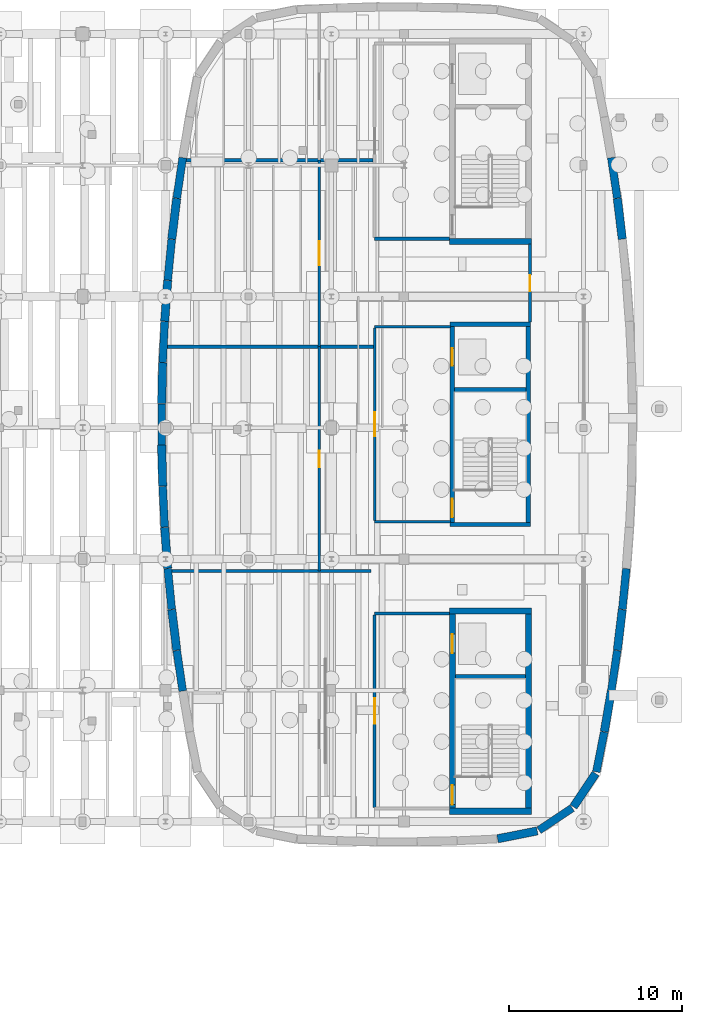
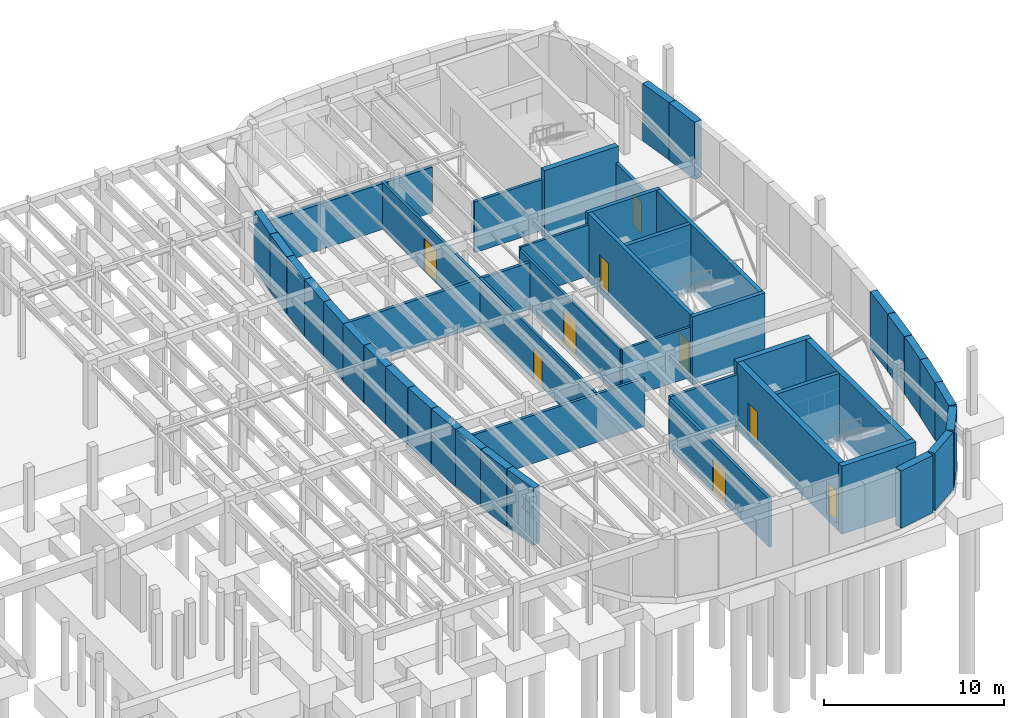
# One storey, part 37 of 45: 46 walls, 9 doors, 9 openings.
"""IFC4 building model written with IfcOpenShell, lengths in metres."""

from ifc_helpers import new_model, si_unit, direction, frame, frame_2d, origin, place, context, subcontext, project, spatial, rectangle, extrude, material, layer, layer_set, type_object, element, fill, save


model = new_model("IFC4")

# Units and contexts
model_context = context("Model", 3, precision=1e-05, world=origin(), true_north=direction((0.0, 1.0)))
body_context = subcontext(model_context, "Body", "Model", "MODEL_VIEW")
ifc_project = project(units=[si_unit("LENGTHUNIT", "METRE"), si_unit("AREAUNIT", "SQUARE_METRE"), si_unit("VOLUMEUNIT", "CUBIC_METRE"), si_unit("PLANEANGLEUNIT", "RADIAN"), si_unit("MASSUNIT", "GRAM", prefix="KILO")], contexts=[model_context])

# Site, building, storey
site_placement = place(None, origin())
site = spatial("IfcSite", under=ifc_project, at=site_placement, CompositionType="ELEMENT")
building_placement = place(site_placement, origin())
building = spatial("IfcBuilding", under=site, at=building_placement, Name="Corveleigh Park Community Centre", CompositionType="ELEMENT")
storey_placement = place(building_placement, frame((0.0, 0.0, -4.199951171875)))
storey = spatial("IfcBuildingStorey", under=building, at=storey_placement, Name="B1", CompositionType="ELEMENT", Elevation=-4.199951171875)

# Walls
ifc_material_1 = material(Name="Gypsum acoustic stud partition", Category="gypsum")
ifc_layer_1 = layer(ifc_material_1, 0.14990234375, Name="Gypsum acoustic stud partition", Category="gypsum")
ifc_layer_set_1 = layer_set([ifc_layer_1], Name="Gypsum acoustic stud partition")
wall_type_1 = type_object("IfcWallType", Name="WL-PRT-150", PredefinedType="PARTITIONING", material=ifc_layer_set_1)
wall_1_placement = place(storey_placement, frame((156.300048828125, 75.949951171875, 0.0), z_axis=(0.0, 0.0, 1.0), x_axis=(1.0, 0.0, 0.0)))
element("IfcWall", 1, at=wall_1_placement, inside=storey, type_object=wall_type_1, Name="CORE6 lobby south wall", PredefinedType="PARTITIONING", context=body_context, shape_type="SweptSolid", body=[
    extrude(rectangle(XDim=4.389892578125, YDim=0.14990234375, at=frame_2d((2.19482421875, 0.0))), origin(), (0.0, 0.0, 1.0), 3.39501953125),
])
wall_2_placement = place(storey_placement, frame((160.68994140625, 87.25, 0.0), z_axis=(0.0, 0.0, 1.0), x_axis=(-1.0, 0.0, 0.0)))
element("IfcWall", 2, at=wall_2_placement, inside=storey, type_object=wall_type_1, Name="CORE6 lobby north wall", PredefinedType="PARTITIONING", context=body_context, shape_type="SweptSolid", body=[
    extrude(rectangle(XDim=4.389892578125, YDim=0.14990234375, at=frame_2d((2.19482421875, 0.0))), origin(), (0.0, 0.0, 1.0), 3.4609375),
])

# Wall, opening, door
wall_3_placement = place(storey_placement, frame((156.300048828125, 87.169921875, 0.0), z_axis=(0.0, 0.0, 1.0), x_axis=(0.0, -1.0, 0.0)))
wall_3 = element("IfcWall", 3, at=wall_3_placement, inside=storey, type_object=wall_type_1, Name="CORE6 lobby corridor wall", PredefinedType="PARTITIONING", context=body_context, shape_type="SweptSolid", body=[
    extrude(rectangle(XDim=11.139892578125, YDim=0.14990234375, at=frame_2d((5.56982421875, 0.0))), origin(), (0.0, 0.0, 1.0), 3.3369140625),
])
opening_1_placement = place(wall_3_placement, frame((4.8798828125, 0.0, 0.0)))
opening_1 = element("IfcOpeningElement", 4, at=opening_1_placement, cuts=wall_3, Name="Opening FD02", PredefinedType="OPENING", context=body_context, shape_type="SweptSolid", body=[
    extrude(rectangle(XDim=1.3798828125, YDim=2.199951171875, at=frame_2d((0.68994140625, 1.10009765625))), frame((0.0, 0.0849609375, 0.0), z_axis=(0.0, -1.0, 0.0), x_axis=(1.0, 0.0, 0.0)), (0.0, 0.0, 1.0), 0.169921875),
])
ifc_material_2 = material(Name="Hardwood acoustic door leaf", Category="wood")
door_type_1 = type_object("IfcDoorType", Name="DR-FIR-1380x2200", OperationType="DOUBLE_DOOR_SINGLE_SWING", PredefinedType="DOOR", material=ifc_material_2)
door_1_placement = place(opening_1_placement, origin())
door_1 = element("IfcDoor", 5, at=door_1_placement, inside=storey, type_object=door_type_1, Name="Lobby CORE6 corridor door B1", OperationType="DOUBLE_DOOR_SINGLE_SWING", OverallHeight=2.199951171875, OverallWidth=1.3798828125, PredefinedType="DOOR", context=body_context, shape_type="SweptSolid", body=[
    extrude(rectangle(XDim=1.3798828125, YDim=2.199951171875, at=frame_2d((0.68994140625, 1.10009765625))), frame((0.0, 0.02490234375, 0.0), z_axis=(0.0, -1.0, 0.0), x_axis=(1.0, 0.0, 0.0)), (0.0, 0.0, 1.0), 0.050048828125),
])
fill(opening_1, door_1)

wall_4_placement = place(storey_placement, frame((153.10009765625, 86.10009765625, 0.0), z_axis=(0.0, 0.0, 1.0), x_axis=(0.0, -1.0, 0.0)))
wall_4 = element("IfcWall", 6, at=wall_4_placement, inside=storey, type_object=wall_type_1, Name="Sprinkler Pump and Tank Room corridor wall", PredefinedType="PARTITIONING", context=body_context, shape_type="SweptSolid", body=[
    extrude(rectangle(XDim=13.0, YDim=0.14990234375, at=frame_2d((6.5, 0.0))), origin(), (0.0, 0.0, 1.0), 3.219970703125),
])
opening_2_placement = place(wall_4_placement, frame((6.030029296875, 0.0, 0.0)))
opening_2 = element("IfcOpeningElement", 7, at=opening_2_placement, cuts=wall_4, Name="Opening FD09", PredefinedType="OPENING", context=body_context, shape_type="SweptSolid", body=[
    extrude(rectangle(XDim=0.93994140625, YDim=2.10009765625, at=frame_2d((0.469970703125, 1.050048828125))), frame((0.0, 0.0849609375, 0.0), z_axis=(0.0, -1.0, 0.0), x_axis=(1.0, 0.0, 0.0)), (0.0, 0.0, 1.0), 0.169921875),
])
door_type_2 = type_object("IfcDoorType", Name="DR-FIR-0940x2100", OperationType="NOTDEFINED", PredefinedType="DOOR", material=ifc_material_2)
door_2_placement = place(opening_2_placement, origin())
door_2 = element("IfcDoor", 8, at=door_2_placement, inside=storey, type_object=door_type_2, Name="Sprinkler Pump and Tank Room door", OperationType="SINGLE_SWING_RIGHT", OverallHeight=2.10009765625, OverallWidth=0.93994140625, PredefinedType="DOOR", context=body_context, shape_type="SweptSolid", body=[
    extrude(rectangle(XDim=0.93994140625, YDim=2.10009765625, at=frame_2d((0.469970703125, 1.050048828125))), frame((0.0, 0.02490234375, 0.0), z_axis=(0.0, -1.0, 0.0), x_axis=(1.0, 0.0, 0.0)), (0.0, 0.0, 1.0), 0.050048828125),
])
fill(opening_2, door_2)

ifc_layer_2 = layer(ifc_material_1, 0.1650390625, Name="Gypsum acoustic stud partition", Category="gypsum")
ifc_layer_set_2 = layer_set([ifc_layer_2], Name="Gypsum acoustic stud partition")
wall_type_2 = type_object("IfcWallType", Name="WL-PRT-165", PredefinedType="PARTITIONING", material=ifc_layer_set_2)
wall_5_placement = place(storey_placement, frame((153.10009765625, 96.89990234375, 0.0), z_axis=(0.0, 0.0, 1.0), x_axis=(0.0, -1.0, 0.0)))
wall_5 = element("IfcWall", 9, at=wall_5_placement, inside=storey, type_object=wall_type_2, Name="LV Switchroom and Standby Plant corridor wall", PredefinedType="PARTITIONING", context=body_context, shape_type="SweptSolid", body=[
    extrude(rectangle(XDim=10.7998046875, YDim=0.1650390625, at=frame_2d((5.39990234375, 0.0))), origin(), (0.0, 0.0, 1.0), 3.195068359375),
])
opening_3_placement = place(wall_5_placement, frame((4.7099609375, 0.0, 0.0)))
opening_3 = element("IfcOpeningElement", 10, at=opening_3_placement, cuts=wall_5, Name="Opening FD02", PredefinedType="OPENING", context=body_context, shape_type="SweptSolid", body=[
    extrude(rectangle(XDim=1.3798828125, YDim=2.199951171875, at=frame_2d((0.68994140625, 1.10009765625))), frame((0.0, 0.092529296875, 0.0), z_axis=(0.0, -1.0, 0.0), x_axis=(1.0, 0.0, 0.0)), (0.0, 0.0, 1.0), 0.18505859375),
])
door_3_placement = place(opening_3_placement, origin())
door_3 = element("IfcDoor", 11, at=door_3_placement, inside=storey, type_object=door_type_1, Name="LV Switchroom and Standby Plant door", OperationType="DOUBLE_DOOR_SINGLE_SWING", OverallHeight=2.199951171875, OverallWidth=1.3798828125, PredefinedType="DOOR", context=body_context, shape_type="SweptSolid", body=[
    extrude(rectangle(XDim=1.3798828125, YDim=2.199951171875, at=frame_2d((0.68994140625, 1.10009765625))), frame((0.0, 0.02490234375, 0.0), z_axis=(0.0, -1.0, 0.0), x_axis=(1.0, 0.0, 0.0)), (0.0, 0.0, 1.0), 0.050048828125),
])
fill(opening_3, door_3)

# Wall
ifc_layer_3 = layer(ifc_material_1, 0.179931640625, Name="Gypsum acoustic stud partition", Category="gypsum")
ifc_layer_set_3 = layer_set([ifc_layer_3], Name="Gypsum acoustic stud partition")
wall_type_3 = type_object("IfcWallType", Name="WL-PRT-180", PredefinedType="PARTITIONING", material=ifc_layer_set_3)
wall_6_placement = place(storey_placement, frame((160.639892578125, 70.64990234375, 0.0), z_axis=(0.0, 0.0, 1.0), x_axis=(-1.0, 0.0, 0.0)))
element("IfcWall", 12, at=wall_6_placement, inside=storey, type_object=wall_type_3, Name="CORE1 lobby north wall", PredefinedType="PARTITIONING", context=body_context, shape_type="SweptSolid", body=[
    extrude(rectangle(XDim=4.33984375, YDim=0.179931640625, at=frame_2d((2.169921875, 0.0))), origin(), (0.0, 0.0, 1.0), 3.419921875),
])

# Wall, opening, door
wall_7_placement = place(storey_placement, frame((156.300048828125, 70.570068359375, 0.0), z_axis=(0.0, 0.0, 1.0), x_axis=(0.0, -1.0, 0.0)))
wall_7 = element("IfcWall", 13, at=wall_7_placement, inside=storey, type_object=wall_type_3, Name="CORE1 lobby corridor wall", PredefinedType="PARTITIONING", context=body_context, shape_type="SweptSolid", body=[
    extrude(rectangle(XDim=11.14013671875, YDim=0.179931640625, at=frame_2d((5.570068359375, 0.0))), origin(), (0.0, 0.0, 1.0), 3.261962890625),
])
opening_4_placement = place(wall_7_placement, frame((4.830078125, 0.0, 0.0)))
opening_4 = element("IfcOpeningElement", 14, at=opening_4_placement, cuts=wall_7, Name="Opening FD01", PredefinedType="OPENING", context=body_context, shape_type="SweptSolid", body=[
    extrude(rectangle(XDim=1.47998046875, YDim=2.219970703125, at=frame_2d((0.739990234375, 1.10986328125))), frame((0.0, 0.099853515625, 0.0), z_axis=(0.0, -1.0, 0.0), x_axis=(1.0, 0.0, 0.0)), (0.0, 0.0, 1.0), 0.199951171875),
])
door_type_3 = type_object("IfcDoorType", Name="DR-FIR-1480x2220", OperationType="DOUBLE_DOOR_SINGLE_SWING", PredefinedType="DOOR", material=ifc_material_2)
door_4_placement = place(opening_4_placement, origin())
door_4 = element("IfcDoor", 15, at=door_4_placement, inside=storey, type_object=door_type_3, Name="Lobby CORE1 corridor door B1", OperationType="DOUBLE_DOOR_SINGLE_SWING", OverallHeight=2.219970703125, OverallWidth=1.47998046875, PredefinedType="DOOR", context=body_context, shape_type="SweptSolid", body=[
    extrude(rectangle(XDim=1.47998046875, YDim=2.219970703125, at=frame_2d((0.739990234375, 1.10986328125))), frame((0.0, 0.02490234375, 0.0), z_axis=(0.0, -1.0, 0.0), x_axis=(1.0, 0.0, 0.0)), (0.0, 0.0, 1.0), 0.050048828125),
])
fill(opening_4, door_4)

# Walls
wall_8_placement = place(storey_placement, frame((156.300048828125, 92.35009765625, 0.0), z_axis=(0.0, 0.0, 1.0), x_axis=(1.0, 0.0, 0.0)))
element("IfcWall", 16, at=wall_8_placement, inside=storey, type_object=wall_type_3, Name="CORE2 lobby south wall", PredefinedType="PARTITIONING", context=body_context, shape_type="SweptSolid", body=[
    extrude(rectangle(XDim=4.33984375, YDim=0.179931640625, at=frame_2d((2.169921875, 0.0))), origin(), (0.0, 0.0, 1.0), 3.45703125),
])
wall_9_placement = place(storey_placement, frame((144.552978515625, 73.10009765625, 0.0), z_axis=(0.0, 0.0, 1.0), x_axis=(1.0, 0.0, 0.0)))
element("IfcWall", 17, at=wall_9_placement, inside=storey, type_object=wall_type_3, Name="Heat Pump and Thermal Plant Room partition", PredefinedType="PARTITIONING", context=body_context, shape_type="SweptSolid", body=[
    extrude(rectangle(XDim=11.547119140625, YDim=0.179931640625, at=frame_2d((5.7734375, 0.0))), origin(), (0.0, 0.0, 1.0), 3.261962890625),
])

# Wall, opening, door
ifc_material_3 = material(Name="Masonry blockwork 7.3 MPa", Category="masonry")
ifc_layer_4 = layer(ifc_material_3, 0.195068359375, Name="Masonry blockwork 7.3 MPa", Category="masonry")
ifc_layer_set_4 = layer_set([ifc_layer_4], Name="Masonry blockwork 7.3 MPa")
wall_type_4 = type_object("IfcWallType", Name="WL-PRT-195", PredefinedType="PARTITIONING", material=ifc_layer_set_4)
wall_10_placement = place(storey_placement, frame((165.300048828125, 87.512939453125, 0.0), z_axis=(0.0, 0.0, 1.0), x_axis=(0.0, 1.0, 0.0)))
wall_10 = element("IfcWall", 18, at=wall_10_placement, inside=storey, type_object=wall_type_4, Name="Substructure Acoustic Attenuation Plant corridor wall", PredefinedType="PARTITIONING", context=body_context, shape_type="SweptSolid", body=[
    extrude(rectangle(XDim=4.524169921875, YDim=0.195068359375, at=frame_2d((2.26220703125, 0.0))), origin(), (0.0, 0.0, 1.0), 3.119873046875),
])
opening_5_placement = place(wall_10_placement, frame((1.7919921875, 0.0, 0.0)))
opening_5 = element("IfcOpeningElement", 19, at=opening_5_placement, cuts=wall_10, Name="Opening FD09", PredefinedType="OPENING", context=body_context, shape_type="SweptSolid", body=[
    extrude(rectangle(XDim=0.93994140625, YDim=2.10009765625, at=frame_2d((0.469970703125, 1.050048828125))), frame((0.0, 0.107421875, 0.0), z_axis=(0.0, -1.0, 0.0), x_axis=(1.0, 0.0, 0.0)), (0.0, 0.0, 1.0), 0.215087890625),
])
door_5_placement = place(opening_5_placement, origin())
door_5 = element("IfcDoor", 20, at=door_5_placement, inside=storey, type_object=door_type_2, Name="Substructure Acoustic Attenuation Plant door", OperationType="SINGLE_SWING_LEFT", OverallHeight=2.10009765625, OverallWidth=0.93994140625, PredefinedType="DOOR", context=body_context, shape_type="SweptSolid", body=[
    extrude(rectangle(XDim=0.93994140625, YDim=2.10009765625, at=frame_2d((0.469970703125, 1.050048828125))), frame((0.0, 0.02490234375, 0.0), z_axis=(0.0, -1.0, 0.0), x_axis=(1.0, 0.0, 0.0)), (0.0, 0.0, 1.0), 0.050048828125),
])
fill(opening_5, door_5)

# Walls
wall_11_placement = place(storey_placement, frame((144.2900390625, 86.10009765625, 0.0), z_axis=(0.0, 0.0, 1.0), x_axis=(1.0, 0.0, 0.0)))
element("IfcWall", 21, at=wall_11_placement, inside=storey, type_object=wall_type_4, Name="Sprinkler Pump and Tank Room partition", PredefinedType="PARTITIONING", context=body_context, shape_type="SweptSolid", body=[
    extrude(rectangle(XDim=11.947021484375, YDim=0.195068359375, at=frame_2d((5.9736328125, 0.0))), origin(), (0.0, 0.0, 1.0), 3.18603515625),
])
ifc_layer_5 = layer(ifc_material_3, 0.215087890625, Name="Masonry blockwork 7.3 MPa", Category="masonry")
ifc_layer_set_5 = layer_set([ifc_layer_5], Name="Masonry blockwork 7.3 MPa")
wall_type_5 = type_object("IfcWallType", Name="WL-PRT-215", PredefinedType="PARTITIONING", material=ifc_layer_set_5)
wall_12_placement = place(storey_placement, frame((145.387939453125, 96.89990234375, 0.0), z_axis=(0.0, 0.0, 1.0), x_axis=(1.0, 0.0, 0.0)))
element("IfcWall", 22, at=wall_12_placement, inside=storey, type_object=wall_type_5, Name="LV Switchroom and Standby Plant partition", PredefinedType="PARTITIONING", context=body_context, shape_type="SweptSolid", body=[
    extrude(rectangle(XDim=10.833984375, YDim=0.215087890625, at=frame_2d((5.4169921875, 0.0))), origin(), (0.0, 0.0, 1.0), 3.10791015625),
])
ifc_material_4 = material(Name="Concrete C40/50", Category="concrete")
ifc_layer_6 = layer(ifc_material_4, 0.449951171875, Name="Concrete C40/50", Category="concrete")
ifc_layer_set_6 = layer_set([ifc_layer_6], Name="Concrete C40/50")
wall_type_6 = type_object("IfcWallType", Name="WL-RET-450", PredefinedType="STANDARD", material=ifc_layer_set_6)
wall_13_placement = place(storey_placement, frame((167.739013671875, 59.385986328125, 0.0), z_axis=(0.0, 0.0, 1.0), x_axis=(-0.831383182597, -0.55569956244, 0.0)))
element("IfcWall", 23, at=wall_13_placement, inside=storey, type_object=wall_type_6, Name="V4 B1 retaining wall", PredefinedType="STANDARD", context=body_context, shape_type="SweptSolid", body=[
    extrude(rectangle(XDim=2.310546875, YDim=0.449951171875, at=frame_2d((1.1552734375, 0.0))), origin(), (0.0, 0.0, 1.0), 3.8818359375),
])
wall_14_placement = place(storey_placement, frame((169.597900390625, 63.791015625, 0.0), z_axis=(0.0, 0.0, 1.0), x_axis=(-0.19480081414, -0.980842822684, 0.0)))
element("IfcWall", 24, at=wall_14_placement, inside=storey, type_object=wall_type_6, Name="V4 B1 retaining wall", PredefinedType="STANDARD", context=body_context, shape_type="SweptSolid", body=[
    extrude(rectangle(XDim=2.356201171875, YDim=0.449951171875, at=frame_2d((1.17822265625, 0.0))), origin(), (0.0, 0.0, 1.0), 3.8818359375),
])
wall_15_placement = place(storey_placement, frame((170.35302734375, 68.50390625, 0.0), z_axis=(0.0, 0.0, 1.0), x_axis=(-0.146066719617, -0.989274741121, 0.0)))
element("IfcWall", 25, at=wall_15_placement, inside=storey, type_object=wall_type_6, Name="V4 B1 retaining wall", PredefinedType="STANDARD", context=body_context, shape_type="SweptSolid", body=[
    extrude(rectangle(XDim=2.368408203125, YDim=0.449951171875, at=frame_2d((1.18408203125, 0.0))), origin(), (0.0, 0.0, 1.0), 3.8818359375),
])
wall_16_placement = place(storey_placement, frame((170.8759765625, 73.248046875, 0.0), z_axis=(0.0, 0.0, 1.0), x_axis=(-0.097523372714, -0.995233234862, 0.0)))
element("IfcWall", 26, at=wall_16_placement, inside=storey, type_object=wall_type_6, Name="V4 B1 retaining wall", PredefinedType="STANDARD", context=body_context, shape_type="SweptSolid", body=[
    extrude(rectangle(XDim=2.3681640625, YDim=0.449951171875, at=frame_2d((1.18408203125, 0.0))), origin(), (0.0, 0.0, 1.0), 3.8818359375),
])
for number, where, z_axis, x_axis, name in (
    (27, (170.007080078125, 97.0390625, 0.0), (0.0, 0.0, 1.0), (0.146066719617, -0.989274741121, 0.0), "V4 B1 retaining wall"),
    (28, (144.846923828125, 94.696044921875, 0.0), (0.0, 0.0, 1.0), (0.146167599706, 0.989259840889, 0.0), "V4 B1 retaining wall"),
    (29, (144.323974609375, 89.951904296875, 0.0), (0.0, 0.0, 1.0), (0.097513367951, 0.995234215183, 0.0), "V4 B1 retaining wall"),
):
    element("IfcWall", number, at=place(storey_placement, frame(where, z_axis=z_axis, x_axis=x_axis)), inside=storey, type_object=wall_type_6, Name=name, PredefinedType="STANDARD", context=body_context, shape_type="SweptSolid", body=[
        extrude(rectangle(XDim=2.368408203125, YDim=0.449951171875, at=frame_2d((1.18408203125, 0.0))), origin(), (0.0, 0.0, 1.0), 3.8818359375),
    ])
wall_17_placement = place(storey_placement, frame((144.031982421875, 85.18798828125, 0.0), z_axis=(0.0, 0.0, 1.0), x_axis=(0.04895577854, 0.99880094701, 0.0)))
element("IfcWall", 30, at=wall_17_placement, inside=storey, type_object=wall_type_6, Name="V4 B1 retaining wall", PredefinedType="STANDARD", context=body_context, shape_type="SweptSolid", body=[
    extrude(rectangle(XDim=2.368896484375, YDim=0.449951171875, at=frame_2d((1.1845703125, 0.0))), origin(), (0.0, 0.0, 1.0), 3.8818359375),
])
wall_18_placement = place(storey_placement, frame((143.97412109375, 80.416015625, 0.0), z_axis=(0.0, 0.0, 1.0), x_axis=(0.0, 1.0, 0.0)))
element("IfcWall", 31, at=wall_18_placement, inside=storey, type_object=wall_type_6, Name="V4 B1 retaining wall", PredefinedType="STANDARD", context=body_context, shape_type="SweptSolid", body=[
    extrude(rectangle(XDim=2.367919921875, YDim=0.449951171875, at=frame_2d((1.18408203125, 0.0))), origin(), (0.0, 0.0, 1.0), 3.8818359375),
])
wall_19_placement = place(storey_placement, frame((144.14794921875, 75.64599609375, 0.0), z_axis=(0.0, 0.0, 1.0), x_axis=(-0.04895577854, 0.99880094701, 0.0)))
element("IfcWall", 32, at=wall_19_placement, inside=storey, type_object=wall_type_6, Name="V4 B1 retaining wall", PredefinedType="STANDARD", context=body_context, shape_type="SweptSolid", body=[
    extrude(rectangle(XDim=2.368896484375, YDim=0.449951171875, at=frame_2d((1.1845703125, 0.0))), origin(), (0.0, 0.0, 1.0), 3.8818359375),
])
wall_20_placement = place(storey_placement, frame((144.554931640625, 70.89111328125, 0.0), z_axis=(0.0, 0.0, 1.0), x_axis=(-0.097523372714, 0.995233234862, 0.0)))
element("IfcWall", 33, at=wall_20_placement, inside=storey, type_object=wall_type_6, Name="V4 B1 retaining wall", PredefinedType="STANDARD", context=body_context, shape_type="SweptSolid", body=[
    extrude(rectangle(XDim=2.3681640625, YDim=0.449951171875, at=frame_2d((1.18408203125, 0.0))), origin(), (0.0, 0.0, 1.0), 3.8818359375),
])
wall_21_placement = place(storey_placement, frame((145.193115234375, 66.160888671875, 0.0), z_axis=(0.0, 0.0, 1.0), x_axis=(-0.146167599706, 0.989259840889, 0.0)))
element("IfcWall", 34, at=wall_21_placement, inside=storey, type_object=wall_type_6, Name="V4 B1 retaining wall", PredefinedType="STANDARD", context=body_context, shape_type="SweptSolid", body=[
    extrude(rectangle(XDim=2.368408203125, YDim=0.449951171875, at=frame_2d((1.18408203125, 0.0))), origin(), (0.0, 0.0, 1.0), 3.8818359375),
])
ifc_layer_7 = layer(ifc_material_4, 0.47998046875, Name="Concrete C40/50", Category="concrete")
ifc_layer_set_7 = layer_set([ifc_layer_7], Name="Concrete C40/50")
wall_type_7 = type_object("IfcWallType", Name="WL-RET-480", PredefinedType="STANDARD", material=ifc_layer_set_7)
wall_22_placement = place(storey_placement, frame((165.719970703125, 58.06103515625, 0.0), z_axis=(0.0, 0.0, 1.0), x_axis=(-0.980836573739, -0.1948322756, 0.0)))
element("IfcWall", 35, at=wall_22_placement, inside=storey, type_object=wall_type_7, Name="V4 B1 retaining wall", PredefinedType="STANDARD", context=body_context, shape_type="SweptSolid", body=[
    extrude(rectangle(XDim=2.3408203125, YDim=0.47998046875, at=frame_2d((1.17041015625, 0.0))), origin(), (0.0, 0.0, 1.0), 3.8818359375),
])
wall_23_placement = place(storey_placement, frame((169.097900390625, 61.382080078125, 0.0), z_axis=(0.0, 0.0, 1.0), x_axis=(-0.555650747973, -0.831415808291, 0.0)))
element("IfcWall", 36, at=wall_23_placement, inside=storey, type_object=wall_type_7, Name="V4 B1 retaining wall", PredefinedType="STANDARD", context=body_context, shape_type="SweptSolid", body=[
    extrude(rectangle(XDim=2.310791015625, YDim=0.47998046875, at=frame_2d((1.1552734375, 0.0))), origin(), (0.0, 0.0, 1.0), 3.8818359375),
])
wall_24_placement = place(storey_placement, frame((170.00390625, 66.14306640625, 0.0), z_axis=(0.0, 0.0, 1.0), x_axis=(-0.169679075886, -0.98549937149, 0.0)))
element("IfcWall", 37, at=wall_24_placement, inside=storey, type_object=wall_type_7, Name="V4 B1 retaining wall", PredefinedType="STANDARD", context=body_context, shape_type="SweptSolid", body=[
    extrude(rectangle(XDim=2.368408203125, YDim=0.47998046875, at=frame_2d((1.18408203125, 0.0))), origin(), (0.0, 0.0, 1.0), 3.8818359375),
])
for number, where, z_axis, x_axis, name in (
    (38, (170.64306640625, 70.873046875, 0.0), (0.0, 0.0, 1.0), (-0.121624086898, -0.992576234597, 0.0), "V4 B1 retaining wall"),
    (39, (170.35498046875, 94.677978515625, 0.0), (0.0, 0.0, 1.0), (0.121624086898, -0.992576234597, 0.0), "V4 B1 retaining wall"),
    (40, (144.556884765625, 92.326904296875, 0.0), (0.0, 0.0, 1.0), (0.121624086898, 0.992576234597, 0.0), "V4 B1 retaining wall"),
):
    element("IfcWall", number, at=place(storey_placement, frame(where, z_axis=z_axis, x_axis=x_axis)), inside=storey, type_object=wall_type_7, Name=name, PredefinedType="STANDARD", context=body_context, shape_type="SweptSolid", body=[
        extrude(rectangle(XDim=2.36865234375, YDim=0.47998046875, at=frame_2d((1.184326171875, 0.0))), origin(), (0.0, 0.0, 1.0), 3.8818359375),
    ])
wall_25_placement = place(storey_placement, frame((144.14892578125, 87.572021484375, 0.0), z_axis=(0.0, 0.0, 1.0), x_axis=(0.073085674135, 0.997325666087, 0.0)))
element("IfcWall", 41, at=wall_25_placement, inside=storey, type_object=wall_type_7, Name="V4 B1 retaining wall", PredefinedType="STANDARD", context=body_context, shape_type="SweptSolid", body=[
    extrude(rectangle(XDim=2.368408203125, YDim=0.47998046875, at=frame_2d((1.18408203125, 0.0))), origin(), (0.0, 0.0, 1.0), 3.8818359375),
])
for number, where, z_axis, x_axis, name in (
    (42, (143.97412109375, 82.802001953125, 0.0), (0.0, 0.0, 1.0), (0.024428216932, 0.999701586583, 0.0), "V4 B1 retaining wall"),
    (43, (144.031982421875, 78.030029296875, 0.0), (0.0, 0.0, 1.0), (-0.024428216932, 0.999701586583, 0.0), "V4 B1 retaining wall"),
):
    element("IfcWall", number, at=place(storey_placement, frame(where, z_axis=z_axis, x_axis=x_axis)), inside=storey, type_object=wall_type_7, Name=name, PredefinedType="STANDARD", context=body_context, shape_type="SweptSolid", body=[
        extrude(rectangle(XDim=2.36865234375, YDim=0.47998046875, at=frame_2d((1.184326171875, 0.0))), origin(), (0.0, 0.0, 1.0), 3.8818359375),
    ])
wall_26_placement = place(storey_placement, frame((144.322021484375, 73.26611328125, 0.0), z_axis=(0.0, 0.0, 1.0), x_axis=(-0.07309318863, 0.997325115384, 0.0)))
element("IfcWall", 44, at=wall_26_placement, inside=storey, type_object=wall_type_7, Name="V4 B1 retaining wall", PredefinedType="STANDARD", context=body_context, shape_type="SweptSolid", body=[
    extrude(rectangle(XDim=2.3681640625, YDim=0.47998046875, at=frame_2d((1.18408203125, 0.0))), origin(), (0.0, 0.0, 1.0), 3.8818359375),
])
wall_27_placement = place(storey_placement, frame((144.844970703125, 68.52197265625, 0.0), z_axis=(0.0, 0.0, 1.0), x_axis=(-0.121624086898, 0.992576234597, 0.0)))
element("IfcWall", 45, at=wall_27_placement, inside=storey, type_object=wall_type_7, Name="V4 B1 retaining wall", PredefinedType="STANDARD", context=body_context, shape_type="SweptSolid", body=[
    extrude(rectangle(XDim=2.36865234375, YDim=0.47998046875, at=frame_2d((1.184326171875, 0.0))), origin(), (0.0, 0.0, 1.0), 3.8818359375),
])
ifc_layer_8 = layer(ifc_material_4, 0.25, Name="Concrete C40/50", Category="concrete")
ifc_layer_set_8 = layer_set([ifc_layer_8], Name="Concrete C40/50")
wall_type_8 = type_object("IfcWallType", Name="WL-SHR-250", PredefinedType="SHEAR", material=ifc_layer_set_8)
wall_28_placement = place(storey_placement, frame((160.97509765625, 67.0, -0.4150390625), z_axis=(0.0, 0.0, 1.0), x_axis=(1.0, 0.0, 0.0)))
element("IfcWall", 46, at=wall_28_placement, inside=storey, type_object=wall_type_8, Name="CORE1 shaft wall", PredefinedType="SHEAR", context=body_context, shape_type="SweptSolid", body=[
    extrude(rectangle(XDim=4.0498046875, YDim=0.25, at=frame_2d((2.02490234375, 0.0))), origin(), (0.0, 0.0, 1.0), 4.614990234375),
])
wall_29_placement = place(storey_placement, frame((160.675048828125, 75.800048828125, -0.4150390625), z_axis=(0.0, 0.0, 1.0), x_axis=(1.0, 0.0, 0.0)))
element("IfcWall", 47, at=wall_29_placement, inside=storey, type_object=wall_type_8, Name="CORE6 south shear wall", PredefinedType="SHEAR", context=body_context, shape_type="SweptSolid", body=[
    extrude(rectangle(XDim=4.64990234375, YDim=0.25, at=frame_2d((2.324951171875, 0.0))), origin(), (0.0, 0.0, 1.0), 4.614990234375),
])
wall_30_placement = place(storey_placement, frame((165.199951171875, 75.925048828125, -0.4150390625), z_axis=(0.0, 0.0, 1.0), x_axis=(0.0, 1.0, 0.0)))
element("IfcWall", 48, at=wall_30_placement, inside=storey, type_object=wall_type_8, Name="CORE6 east shear wall", PredefinedType="SHEAR", context=body_context, shape_type="SweptSolid", body=[
    extrude(rectangle(XDim=11.349853515625, YDim=0.25, at=frame_2d((5.6748046875, 0.0))), origin(), (0.0, 0.0, 1.0), 4.614990234375),
])
wall_31_placement = place(storey_placement, frame((165.324951171875, 87.39990234375, -0.4150390625), z_axis=(0.0, 0.0, 1.0), x_axis=(-1.0, 0.0, 0.0)))
element("IfcWall", 49, at=wall_31_placement, inside=storey, type_object=wall_type_8, Name="CORE6 north shear wall", PredefinedType="SHEAR", context=body_context, shape_type="SweptSolid", body=[
    extrude(rectangle(XDim=4.64990234375, YDim=0.25, at=frame_2d((2.324951171875, 0.0))), origin(), (0.0, 0.0, 1.0), 4.614990234375),
])

# Wall, openings, doors
wall_32_placement = place(storey_placement, frame((160.800048828125, 87.27490234375, -0.4150390625), z_axis=(0.0, 0.0, 1.0), x_axis=(0.0, -1.0, 0.0)))
wall_32 = element("IfcWall", 50, at=wall_32_placement, inside=storey, type_object=wall_type_8, Name="CORE6 west lobby wall", PredefinedType="SHEAR", context=body_context, shape_type="SweptSolid", body=[
    extrude(rectangle(XDim=11.349853515625, YDim=0.25, at=frame_2d((5.6748046875, 0.0))), origin(), (0.0, 0.0, 1.0), 4.614990234375),
])
opening_6_placement = place(wall_32_placement, frame((1.27490234375, 0.0, 0.4150390625)))
opening_6 = element("IfcOpeningElement", 51, at=opening_6_placement, cuts=wall_32, Name="Opening LD02", PredefinedType="OPENING", context=body_context, shape_type="SweptSolid", body=[
    extrude(rectangle(XDim=1.0, YDim=2.14990234375, at=frame_2d((0.5, 1.074951171875))), frame((0.0, 0.135009765625, 0.0), z_axis=(0.0, -1.0, 0.0), x_axis=(1.0, 0.0, 0.0)), (0.0, 0.0, 1.0), 0.27001953125),
])
opening_7_placement = place(wall_32_placement, frame((9.9951171875, 0.0, 0.4150390625)))
opening_7 = element("IfcOpeningElement", 52, at=opening_7_placement, cuts=wall_32, Name="Opening FD04", PredefinedType="OPENING", context=body_context, shape_type="SweptSolid", body=[
    extrude(rectangle(XDim=1.06005859375, YDim=2.14990234375, at=frame_2d((0.530029296875, 1.074951171875))), frame((0.0, 0.135009765625, 0.0), z_axis=(0.0, -1.0, 0.0), x_axis=(1.0, 0.0, 0.0)), (0.0, 0.0, 1.0), 0.27001953125),
])
door_type_4 = type_object("IfcDoorType", Name="DR-FIR-1060x2150", OperationType="NOTDEFINED", PredefinedType="DOOR", material=ifc_material_2)
door_6_placement = place(opening_7_placement, origin())
door_6 = element("IfcDoor", 53, at=door_6_placement, inside=storey, type_object=door_type_4, Name="Stair ST6 fire door B1", OperationType="SINGLE_SWING_LEFT", OverallHeight=2.14990234375, OverallWidth=1.06005859375, PredefinedType="DOOR", context=body_context, shape_type="SweptSolid", body=[
    extrude(rectangle(XDim=1.06005859375, YDim=2.14990234375, at=frame_2d((0.530029296875, 1.074951171875))), frame((0.0, 0.02490234375, 0.0), z_axis=(0.0, -1.0, 0.0), x_axis=(1.0, 0.0, 0.0)), (0.0, 0.0, 1.0), 0.050048828125),
])
fill(opening_7, door_6)
ifc_material_5 = material(Name="Brushed stainless steel lift car", Category="steel")
door_type_5 = type_object("IfcDoorType", Name="DR-LFT-1000x2150", OperationType="SLIDING_TO_LEFT", PredefinedType="DOOR", material=ifc_material_5)
door_7_placement = place(opening_6_placement, origin())
door_7 = element("IfcDoor", 54, at=door_7_placement, inside=storey, type_object=door_type_5, Name="Lift PL2 landing door B1", OperationType="SLIDING_TO_LEFT", OverallHeight=2.14990234375, OverallWidth=1.0, PredefinedType="DOOR", context=body_context, shape_type="SweptSolid", body=[
    extrude(rectangle(XDim=1.0, YDim=2.14990234375, at=frame_2d((0.5, 1.074951171875))), frame((0.0, 0.02490234375, 0.0), z_axis=(0.0, -1.0, 0.0), x_axis=(1.0, 0.0, 0.0)), (0.0, 0.0, 1.0), 0.050048828125),
])
fill(opening_6, door_7)

# Walls
wall_33_placement = place(storey_placement, frame((160.925048828125, 83.60009765625, -0.4150390625), z_axis=(0.0, 0.0, 1.0), x_axis=(1.0, 0.0, 0.0)))
element("IfcWall", 55, at=wall_33_placement, inside=storey, type_object=wall_type_8, Name="CORE6 shaft wall", PredefinedType="SHEAR", context=body_context, shape_type="SweptSolid", body=[
    extrude(rectangle(XDim=4.14990234375, YDim=0.25, at=frame_2d((2.074951171875, 0.0))), origin(), (0.0, 0.0, 1.0), 4.614990234375),
])
ifc_layer_9 = layer(ifc_material_4, 0.35009765625, Name="Concrete C40/50", Category="concrete")
ifc_layer_set_9 = layer_set([ifc_layer_9], Name="Concrete C40/50")
wall_type_9 = type_object("IfcWallType", Name="WL-SHR-350", PredefinedType="SHEAR", material=ifc_layer_set_9)
wall_34_placement = place(storey_placement, frame((160.625, 59.199951171875, -0.4150390625), z_axis=(0.0, 0.0, 1.0), x_axis=(1.0, 0.0, 0.0)))
element("IfcWall", 56, at=wall_34_placement, inside=storey, type_object=wall_type_9, Name="CORE1 south shear wall", PredefinedType="SHEAR", context=body_context, shape_type="SweptSolid", body=[
    extrude(rectangle(XDim=4.75, YDim=0.35009765625, at=frame_2d((2.375, 0.0))), origin(), (0.0, 0.0, 1.0), 4.614990234375),
])
wall_35_placement = place(storey_placement, frame((165.199951171875, 59.375, -0.4150390625), z_axis=(0.0, 0.0, 1.0), x_axis=(0.0, 1.0, 0.0)))
element("IfcWall", 57, at=wall_35_placement, inside=storey, type_object=wall_type_9, Name="CORE1 east shear wall", PredefinedType="SHEAR", context=body_context, shape_type="SweptSolid", body=[
    extrude(rectangle(XDim=11.25, YDim=0.35009765625, at=frame_2d((5.625, 0.0))), origin(), (0.0, 0.0, 1.0), 4.614990234375),
])
wall_36_placement = place(storey_placement, frame((165.375, 70.800048828125, -0.4150390625), z_axis=(0.0, 0.0, 1.0), x_axis=(-1.0, 0.0, 0.0)))
element("IfcWall", 58, at=wall_36_placement, inside=storey, type_object=wall_type_9, Name="CORE1 north shear wall", PredefinedType="SHEAR", context=body_context, shape_type="SweptSolid", body=[
    extrude(rectangle(XDim=4.75, YDim=0.35009765625, at=frame_2d((2.375, 0.0))), origin(), (0.0, 0.0, 1.0), 4.614990234375),
])

# Wall, openings, doors
wall_37_placement = place(storey_placement, frame((160.800048828125, 70.625, -0.4150390625), z_axis=(0.0, 0.0, 1.0), x_axis=(0.0, -1.0, 0.0)))
wall_37 = element("IfcWall", 59, at=wall_37_placement, inside=storey, type_object=wall_type_9, Name="CORE1 west lobby wall", PredefinedType="SHEAR", context=body_context, shape_type="SweptSolid", body=[
    extrude(rectangle(XDim=11.25, YDim=0.35009765625, at=frame_2d((5.625, 0.0))), origin(), (0.0, 0.0, 1.0), 4.614990234375),
])
opening_8_placement = place(wall_37_placement, frame((1.175048828125, 0.0, 0.4150390625)))
opening_8 = element("IfcOpeningElement", 60, at=opening_8_placement, cuts=wall_37, Name="Opening LD01", PredefinedType="OPENING", context=body_context, shape_type="SweptSolid", body=[
    extrude(rectangle(XDim=1.10009765625, YDim=2.199951171875, at=frame_2d((0.550048828125, 1.10009765625))), frame((0.0, 0.18505859375, 0.0), z_axis=(0.0, -1.0, 0.0), x_axis=(1.0, 0.0, 0.0)), (0.0, 0.0, 1.0), 0.3701171875),
])
opening_9_placement = place(wall_37_placement, frame((9.9150390625, 0.0, 0.4150390625)))
opening_9 = element("IfcOpeningElement", 61, at=opening_9_placement, cuts=wall_37, Name="Opening FD03", PredefinedType="OPENING", context=body_context, shape_type="SweptSolid", body=[
    extrude(rectangle(XDim=1.1201171875, YDim=2.159912109375, at=frame_2d((0.56005859375, 1.080078125))), frame((0.0, 0.18505859375, 0.0), z_axis=(0.0, -1.0, 0.0), x_axis=(1.0, 0.0, 0.0)), (0.0, 0.0, 1.0), 0.3701171875),
])
door_type_6 = type_object("IfcDoorType", Name="DR-FIR-1120x2160", OperationType="NOTDEFINED", PredefinedType="DOOR", material=ifc_material_2)
door_8_placement = place(opening_9_placement, origin())
door_8 = element("IfcDoor", 62, at=door_8_placement, inside=storey, type_object=door_type_6, Name="Stair ST1 fire door B1", OperationType="SINGLE_SWING_LEFT", OverallHeight=2.159912109375, OverallWidth=1.1201171875, PredefinedType="DOOR", context=body_context, shape_type="SweptSolid", body=[
    extrude(rectangle(XDim=1.1201171875, YDim=2.159912109375, at=frame_2d((0.56005859375, 1.080078125))), frame((0.0, 0.02490234375, 0.0), z_axis=(0.0, -1.0, 0.0), x_axis=(1.0, 0.0, 0.0)), (0.0, 0.0, 1.0), 0.050048828125),
])
fill(opening_9, door_8)
door_type_7 = type_object("IfcDoorType", Name="DR-LFT-1100x2200", OperationType="DOUBLE_DOOR_SLIDING", PredefinedType="DOOR", material=ifc_material_5)
door_9_placement = place(opening_8_placement, origin())
door_9 = element("IfcDoor", 63, at=door_9_placement, inside=storey, type_object=door_type_7, Name="Lift FL1 landing door B1", OperationType="DOUBLE_DOOR_SLIDING", OverallHeight=2.199951171875, OverallWidth=1.10009765625, PredefinedType="DOOR", context=body_context, shape_type="SweptSolid", body=[
    extrude(rectangle(XDim=1.10009765625, YDim=2.199951171875, at=frame_2d((0.550048828125, 1.10009765625))), frame((0.0, 0.02490234375, 0.0), z_axis=(0.0, -1.0, 0.0), x_axis=(1.0, 0.0, 0.0)), (0.0, 0.0, 1.0), 0.050048828125),
])
fill(opening_8, door_9)

# Wall
wall_38_placement = place(storey_placement, frame((160.625, 92.199951171875, -0.4150390625), z_axis=(0.0, 0.0, 1.0), x_axis=(1.0, 0.0, 0.0)))
element("IfcWall", 64, at=wall_38_placement, inside=storey, type_object=wall_type_9, Name="CORE2 south shear wall", PredefinedType="SHEAR", context=body_context, shape_type="SweptSolid", body=[
    extrude(rectangle(XDim=4.75, YDim=0.35009765625, at=frame_2d((2.375, 0.0))), origin(), (0.0, 0.0, 1.0), 4.614990234375),
])

save(model, "model.ifc")
